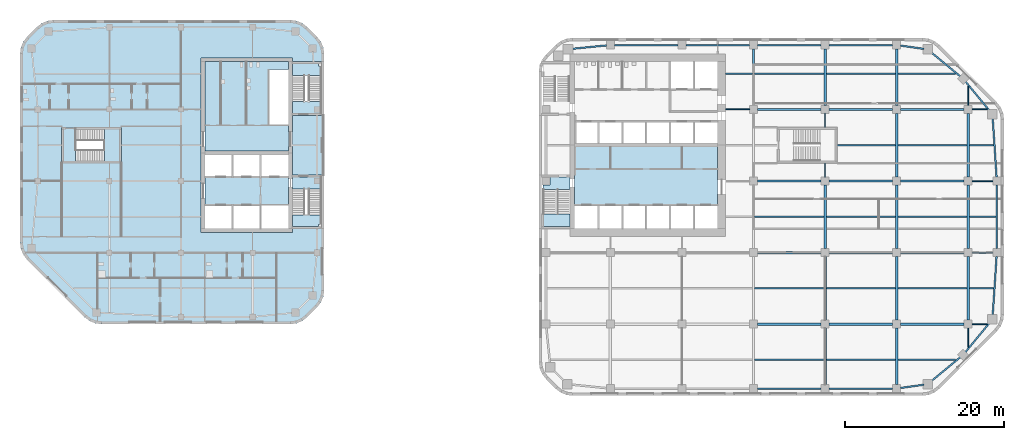
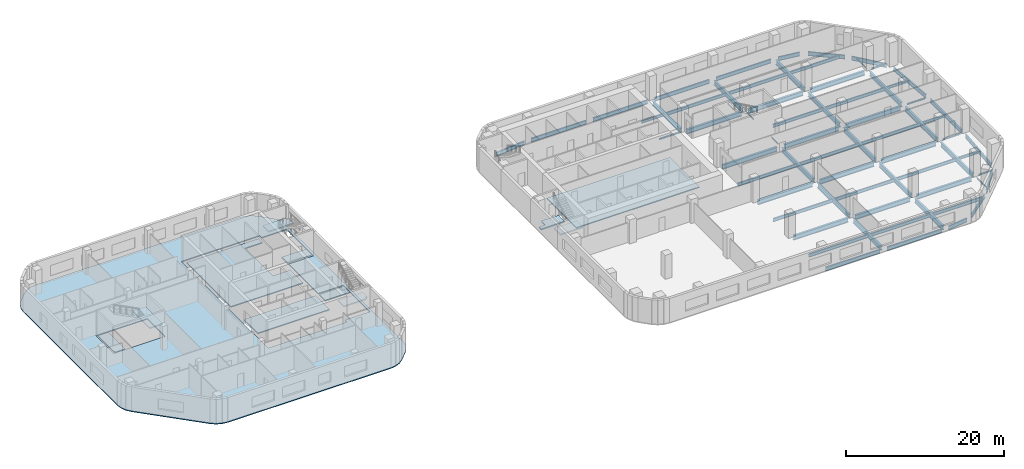
# One storey, part 3 of 15: 68 beams, 12 slabs, 4 elements without a shape of their own.
"""IFC4 building model written with IfcOpenShell, lengths in metres."""

from ifc_helpers import new_model, si_unit, direction, frame, origin, origin_2d, place, context, subcontext, project, spatial, polyline, i_section, outline, extrude, material, layer, layer_set, material_profile, profile_set, type_object, element, aggregate, save


model = new_model("IFC4")

# Units and contexts
model_context = context("Model", 3, precision=1e-05, world=origin(), true_north=direction((0.0, 1.0)))
body_context = subcontext(model_context, "Body", "Model", "MODEL_VIEW")
ifc_project = project(units=[si_unit("LENGTHUNIT", "METRE"), si_unit("AREAUNIT", "SQUARE_METRE"), si_unit("VOLUMEUNIT", "CUBIC_METRE"), si_unit("PLANEANGLEUNIT", "RADIAN"), si_unit("MASSUNIT", "GRAM", prefix="KILO")], contexts=[model_context])

# Site, building, storey
site_placement = place(None, origin())
site = spatial("IfcSite", under=ifc_project, at=site_placement, CompositionType="ELEMENT")
building_placement = place(site_placement, origin())
building = spatial("IfcBuilding", under=site, at=building_placement, Name="Cinnabar Reach Civic Tower", CompositionType="ELEMENT")
storey_placement = place(building_placement, frame((0.0, 0.0, 91.0)))
storey = spatial("IfcBuildingStorey", under=building, at=storey_placement, Name="L21", CompositionType="ELEMENT", Elevation=91.0)

# Beams
ifc_material_1 = material(Name="Steel Q355B", Category="steel")
ifc_material_profile_1 = material_profile(ifc_material_1, i_section(OverallWidth=0.099, OverallDepth=0.198, WebThickness=0.0045, FlangeThickness=0.007, FilletRadius=0.013, at=origin_2d()), Name="HN200x100x5.5x8")
ifc_profile_set_1 = profile_set([ifc_material_profile_1], Name="Steel Q355B")
beam_type_1 = type_object("IfcBeamType", Name="HN200x100x5.5x8 beam R 180", PredefinedType="BEAM", material=ifc_profile_set_1)
for number, where, z_axis, x_axis, name in (
    (1, (36.0, 27.502, -0.249), (0.0, 1.0, 0.0), (-1.0, 0.0, 0.0), "Girder T1 L21 15"),
    (2, (36.0, 33.752, -0.249), (0.0, 1.0, 0.0), (-1.0, 0.0, 0.0), "Girder T1 L21 16"),
):
    element("IfcBeam", number, at=place(storey_placement, frame(where, z_axis=z_axis, x_axis=x_axis)), inside=storey, type_object=beam_type_1, Name=name, PredefinedType="BEAM", context=body_context, shape_type="SweptSolid", body=[
        extrude(i_section(OverallWidth=0.099, OverallDepth=0.198, WebThickness=0.0045, FlangeThickness=0.007, FilletRadius=0.013, at=origin_2d()), origin(), (0.0, 0.0, 1.0), 1.746),
    ])
for number, where, z_axis, x_axis, name in (
    (3, (54.0, 6.0682, -0.249), (0.0, 1.0, 0.0), (-1.0, 0.0, 0.0), "Girder T1 L21 23"),
    (4, (54.0, 36.502, -0.249), (0.0, 1.0, 0.0), (-1.0, 0.0, 0.0), "Girder T1 L21 27"),
):
    element("IfcBeam", number, at=place(storey_placement, frame(where, z_axis=z_axis, x_axis=x_axis)), inside=storey, type_object=beam_type_1, Name=name, PredefinedType="BEAM", context=body_context, shape_type="SweptSolid", body=[
        extrude(i_section(OverallWidth=0.099, OverallDepth=0.198, WebThickness=0.0045, FlangeThickness=0.007, FilletRadius=0.013, at=origin_2d()), origin(), (0.0, 0.0, 1.0), 2.4298),
    ])
ifc_material_profile_2 = material_profile(ifc_material_1, i_section(OverallWidth=0.124, OverallDepth=0.248, WebThickness=0.005, FlangeThickness=0.008, FilletRadius=0.013, at=origin_2d()), Name="HN250x125x6x9")
ifc_profile_set_2 = profile_set([ifc_material_profile_2], Name="Steel Q355B")
beam_type_2 = type_object("IfcBeamType", Name="HN250x125x6x9 beam R 180", PredefinedType="BEAM", material=ifc_profile_set_2)
beam_1_placement = place(storey_placement, frame((54.502, 9.0, -0.274), z_axis=(1.0, 0.0, 0.0), x_axis=(0.0, 1.0, 0.0)))
element("IfcBeam", 5, at=beam_1_placement, inside=storey, type_object=beam_type_2, Name="Girder T1 L21 7", PredefinedType="BEAM", context=body_context, shape_type="SweptSolid", body=[
    extrude(i_section(OverallWidth=0.124, OverallDepth=0.248, WebThickness=0.005, FlangeThickness=0.008, FilletRadius=0.013, at=origin_2d()), origin(), (0.0, 0.0, 1.0), 1.9162),
])
for number, where, z_axis, x_axis, name in (
    (6, (54.502, 18.0, -0.274), (1.0, 0.0, 0.0), (0.0, 1.0, 0.0), "Girder T1 L21 14"),
    (7, (54.502, 27.0, -0.274), (1.0, 0.0, 0.0), (0.0, 1.0, 0.0), "Girder T1 L21 19"),
):
    element("IfcBeam", number, at=place(storey_placement, frame(where, z_axis=z_axis, x_axis=x_axis)), inside=storey, type_object=beam_type_2, Name=name, PredefinedType="BEAM", context=body_context, shape_type="SweptSolid", body=[
        extrude(i_section(OverallWidth=0.124, OverallDepth=0.248, WebThickness=0.005, FlangeThickness=0.008, FilletRadius=0.013, at=origin_2d()), origin(), (0.0, 0.0, 1.0), 2.596),
    ])
beam_2_placement = place(storey_placement, frame((23.502, 36.0, -0.274), z_axis=(1.0, 0.0, 0.0), x_axis=(0.0, 1.0, 0.0)))
element("IfcBeam", 8, at=beam_2_placement, inside=storey, type_object=beam_type_2, Name="Girder T1 L21 20", PredefinedType="BEAM", context=body_context, shape_type="SweptSolid", body=[
    extrude(i_section(OverallWidth=0.124, OverallDepth=0.248, WebThickness=0.005, FlangeThickness=0.008, FilletRadius=0.013, at=origin_2d()), origin(), (0.0, 0.0, 1.0), 2.996),
])
beam_3_placement = place(storey_placement, frame((54.502, 36.0, -0.274), z_axis=(1.0, 0.0, 0.0), x_axis=(0.0, 1.0, 0.0)))
element("IfcBeam", 9, at=beam_3_placement, inside=storey, type_object=beam_type_2, Name="Girder T1 L21 24", PredefinedType="BEAM", context=body_context, shape_type="SweptSolid", body=[
    extrude(i_section(OverallWidth=0.124, OverallDepth=0.248, WebThickness=0.005, FlangeThickness=0.008, FilletRadius=0.013, at=origin_2d()), origin(), (0.0, 0.0, 1.0), 1.9162),
])
ifc_material_profile_3 = material_profile(ifc_material_1, i_section(OverallWidth=0.2, OverallDepth=0.4, WebThickness=0.008, FlangeThickness=0.013, FilletRadius=0.016, at=origin_2d()), Name="HN400x200x8x13")
ifc_profile_set_3 = profile_set([ifc_material_profile_3], Name="Steel Q355B")
beam_type_3 = type_object("IfcBeamType", Name="HN400x200x8x13 beam R 180", PredefinedType="BEAM", material=ifc_profile_set_3)
beam_4_placement = place(storey_placement, frame((54.152, 13.5, -0.35), z_axis=(1.0, 0.0, 0.0), x_axis=(0.0, 1.0, 0.0)))
element("IfcBeam", 10, at=beam_4_placement, inside=storey, type_object=beam_type_3, Name="Secondary beam T1 L21 13", PredefinedType="BEAM", context=body_context, shape_type="SweptSolid", body=[
    extrude(i_section(OverallWidth=0.2, OverallDepth=0.4, WebThickness=0.008, FlangeThickness=0.013, FilletRadius=0.016, at=origin_2d()), origin(), (0.0, 0.0, 1.0), 3.0494),
])
beam_5_placement = place(storey_placement, frame((54.152, 22.5, -0.35), z_axis=(1.0, 0.0, 0.0), x_axis=(0.0, 1.0, 0.0)))
element("IfcBeam", 11, at=beam_5_placement, inside=storey, type_object=beam_type_3, Name="Secondary beam T1 L21 18", PredefinedType="BEAM", context=body_context, shape_type="SweptSolid", body=[
    extrude(i_section(OverallWidth=0.2, OverallDepth=0.4, WebThickness=0.008, FlangeThickness=0.013, FilletRadius=0.016, at=origin_2d()), origin(), (0.0, 0.0, 1.0), 3.346),
])
beam_6_placement = place(storey_placement, frame((54.152, 31.5, -0.35), z_axis=(1.0, 0.0, 0.0), x_axis=(0.0, 1.0, 0.0)))
element("IfcBeam", 12, at=beam_6_placement, inside=storey, type_object=beam_type_3, Name="Secondary beam T1 L21 24", PredefinedType="BEAM", context=body_context, shape_type="SweptSolid", body=[
    extrude(i_section(OverallWidth=0.2, OverallDepth=0.4, WebThickness=0.008, FlangeThickness=0.013, FilletRadius=0.016, at=origin_2d()), origin(), (0.0, 0.0, 1.0), 3.0494),
])
beam_7_placement = place(storey_placement, frame((23.502, 40.5, -0.35), z_axis=(1.0, 0.0, 0.0), x_axis=(0.0, 1.0, 0.0)))
element("IfcBeam", 13, at=beam_7_placement, inside=storey, type_object=beam_type_3, Name="Secondary beam T1 L21 25", PredefinedType="BEAM", context=body_context, shape_type="SweptSolid", body=[
    extrude(i_section(OverallWidth=0.2, OverallDepth=0.4, WebThickness=0.008, FlangeThickness=0.013, FilletRadius=0.016, at=origin_2d()), origin(), (0.0, 0.0, 1.0), 3.346),
])
ifc_material_profile_4 = material_profile(ifc_material_1, i_section(OverallWidth=0.2, OverallDepth=0.5, WebThickness=0.01, FlangeThickness=0.016, FilletRadius=0.016, at=origin_2d()), Name="HN500x200x10x16")
ifc_profile_set_4 = profile_set([ifc_material_profile_4], Name="Steel Q355B")
beam_type_4 = type_object("IfcBeamType", Name="HN500x200x10x16 beam R 180", PredefinedType="BEAM", material=ifc_profile_set_4)
for number, where, z_axis, x_axis, name in (
    (14, (27.152, 4.5, -0.4), (1.0, 0.0, 0.0), (0.0, 1.0, 0.0), "Secondary beam T1 L21 4"),
    (15, (36.152, 4.5, -0.4), (1.0, 0.0, 0.0), (0.0, 1.0, 0.0), "Secondary beam T1 L21 5"),
):
    element("IfcBeam", number, at=place(storey_placement, frame(where, z_axis=z_axis, x_axis=x_axis)), inside=storey, type_object=beam_type_4, Name=name, PredefinedType="BEAM", context=body_context, shape_type="SweptSolid", body=[
        extrude(i_section(OverallWidth=0.2, OverallDepth=0.5, WebThickness=0.01, FlangeThickness=0.016, FilletRadius=0.016, at=origin_2d()), origin(), (0.0, 0.0, 1.0), 8.696),
    ])
beam_8_placement = place(storey_placement, frame((45.152, 4.5, -0.4), z_axis=(1.0, 0.0, 0.0), x_axis=(0.0, 1.0, 0.0)))
element("IfcBeam", 16, at=beam_8_placement, inside=storey, type_object=beam_type_4, Name="Secondary beam T1 L21 6", PredefinedType="BEAM", context=body_context, shape_type="SweptSolid", body=[
    extrude(i_section(OverallWidth=0.2, OverallDepth=0.5, WebThickness=0.01, FlangeThickness=0.016, FilletRadius=0.016, at=origin_2d()), origin(), (0.0, 0.0, 1.0), 7.2798),
])
for number, where, z_axis, x_axis, name in (
    (17, (27.152, 13.5, -0.4), (1.0, 0.0, 0.0), (0.0, 1.0, 0.0), "Secondary beam T1 L21 10"),
    (18, (36.152, 13.5, -0.4), (1.0, 0.0, 0.0), (0.0, 1.0, 0.0), "Secondary beam T1 L21 11"),
    (19, (45.152, 13.5, -0.4), (1.0, 0.0, 0.0), (0.0, 1.0, 0.0), "Secondary beam T1 L21 12"),
    (20, (27.152, 22.5, -0.4), (1.0, 0.0, 0.0), (0.0, 1.0, 0.0), "Secondary beam T1 L21 15"),
    (21, (36.152, 22.5, -0.4), (1.0, 0.0, 0.0), (0.0, 1.0, 0.0), "Secondary beam T1 L21 16"),
    (22, (45.152, 22.5, -0.4), (1.0, 0.0, 0.0), (0.0, 1.0, 0.0), "Secondary beam T1 L21 17"),
):
    element("IfcBeam", number, at=place(storey_placement, frame(where, z_axis=z_axis, x_axis=x_axis)), inside=storey, type_object=beam_type_4, Name=name, PredefinedType="BEAM", context=body_context, shape_type="SweptSolid", body=[
        extrude(i_section(OverallWidth=0.2, OverallDepth=0.5, WebThickness=0.01, FlangeThickness=0.016, FilletRadius=0.016, at=origin_2d()), origin(), (0.0, 0.0, 1.0), 8.696),
    ])
beam_9_placement = place(storey_placement, frame((37.502, 31.5, -0.4), z_axis=(1.0, 0.0, 0.0), x_axis=(0.0, 1.0, 0.0)))
element("IfcBeam", 23, at=beam_9_placement, inside=storey, type_object=beam_type_4, Name="Secondary beam T1 L21 22", PredefinedType="BEAM", context=body_context, shape_type="SweptSolid", body=[
    extrude(i_section(OverallWidth=0.2, OverallDepth=0.5, WebThickness=0.01, FlangeThickness=0.016, FilletRadius=0.016, at=origin_2d()), origin(), (0.0, 0.0, 1.0), 7.346),
])
for number, where, z_axis, x_axis, name in (
    (24, (45.152, 31.5, -0.4), (1.0, 0.0, 0.0), (0.0, 1.0, 0.0), "Secondary beam T1 L21 23"),
    (25, (27.152, 40.5, -0.4), (1.0, 0.0, 0.0), (0.0, 1.0, 0.0), "Secondary beam T1 L21 26"),
    (26, (36.152, 40.5, -0.4), (1.0, 0.0, 0.0), (0.0, 1.0, 0.0), "Secondary beam T1 L21 27"),
):
    element("IfcBeam", number, at=place(storey_placement, frame(where, z_axis=z_axis, x_axis=x_axis)), inside=storey, type_object=beam_type_4, Name=name, PredefinedType="BEAM", context=body_context, shape_type="SweptSolid", body=[
        extrude(i_section(OverallWidth=0.2, OverallDepth=0.5, WebThickness=0.01, FlangeThickness=0.016, FilletRadius=0.016, at=origin_2d()), origin(), (0.0, 0.0, 1.0), 8.696),
    ])
beam_10_placement = place(storey_placement, frame((45.152, 40.5, -0.4), z_axis=(1.0, 0.0, 0.0), x_axis=(0.0, 1.0, 0.0)))
element("IfcBeam", 27, at=beam_10_placement, inside=storey, type_object=beam_type_4, Name="Secondary beam T1 L21 28", PredefinedType="BEAM", context=body_context, shape_type="SweptSolid", body=[
    extrude(i_section(OverallWidth=0.2, OverallDepth=0.5, WebThickness=0.01, FlangeThickness=0.016, FilletRadius=0.016, at=origin_2d()), origin(), (0.0, 0.0, 1.0), 7.2798),
])
ifc_material_profile_5 = material_profile(ifc_material_1, i_section(OverallWidth=0.2, OverallDepth=0.6, WebThickness=0.011, FlangeThickness=0.017, FilletRadius=0.016, at=origin_2d()), Name="HN600x200x11x17")
ifc_profile_set_5 = profile_set([ifc_material_profile_5], Name="Steel Q355B")
beam_type_5 = type_object("IfcBeamType", Name="HN600x200x11x17 beam R 180", PredefinedType="BEAM", material=ifc_profile_set_5)
for number, where, z_axis, x_axis, name in (
    (28, (27.502, 0.9, -0.45), (1.0, 0.0, 0.0), (0.0, 1.0, 0.0), "Edge beam T1 L21 4"),
    (29, (36.502, 0.9, -0.45), (1.0, 0.0, 0.0), (0.0, 1.0, 0.0), "Edge beam T1 L21 5"),
):
    element("IfcBeam", number, at=place(storey_placement, frame(where, z_axis=z_axis, x_axis=x_axis)), inside=storey, type_object=beam_type_5, Name=name, PredefinedType="BEAM", context=body_context, shape_type="SweptSolid", body=[
        extrude(i_section(OverallWidth=0.2, OverallDepth=0.6, WebThickness=0.011, FlangeThickness=0.017, FilletRadius=0.016, at=origin_2d()), origin(), (0.0, 0.0, 1.0), 7.996),
    ])
beam_11_placement = place(storey_placement, frame((45.502, 0.9712, -0.45), z_axis=(0.990082238922, 0.140489003738, 0.0), x_axis=(-0.140489003738, 0.990082238922, 0.0)))
element("IfcBeam", 30, at=beam_11_placement, inside=storey, type_object=beam_type_5, Name="Edge beam T1 L21 6", PredefinedType="BEAM", context=body_context, shape_type="SweptSolid", body=[
    extrude(i_section(OverallWidth=0.2, OverallDepth=0.6, WebThickness=0.011, FlangeThickness=0.017, FilletRadius=0.016, at=origin_2d()), origin(), (0.0, 0.0, 1.0), 2.9433),
])
for number, where, z_axis, x_axis, name in (
    (31, (49.3801, 1.8507, -0.45), (0.77143827905, 0.6363041581, 0.0), (-0.6363041581, 0.77143827905, 0.0), "Edge beam T1 L21 7"),
    (32, (53.6461, 5.4789, -0.45), (0.6363041581, 0.77143827905, 0.0), (-0.77143827905, 0.6363041581, 0.0), "Edge beam T1 L21 8"),
):
    element("IfcBeam", number, at=place(storey_placement, frame(where, z_axis=z_axis, x_axis=x_axis)), inside=storey, type_object=beam_type_5, Name=name, PredefinedType="BEAM", context=body_context, shape_type="SweptSolid", body=[
        extrude(i_section(OverallWidth=0.2, OverallDepth=0.6, WebThickness=0.011, FlangeThickness=0.017, FilletRadius=0.016, at=origin_2d()), origin(), (0.0, 0.0, 1.0), 4.7198),
    ])
beam_12_placement = place(storey_placement, frame((57.0786, 10.0839, -0.45), z_axis=(0.065718615968, 0.997838195057, 0.0), x_axis=(-0.997838195057, 0.065718615968, 0.0)))
element("IfcBeam", 33, at=beam_12_placement, inside=storey, type_object=beam_type_5, Name="Edge beam T1 L21 9", PredefinedType="BEAM", context=body_context, shape_type="SweptSolid", body=[
    extrude(i_section(OverallWidth=0.2, OverallDepth=0.6, WebThickness=0.011, FlangeThickness=0.017, FilletRadius=0.016, at=origin_2d()), origin(), (0.0, 0.0, 1.0), 7.4302),
])
beam_13_placement = place(storey_placement, frame((57.6, 18.502, -0.45), z_axis=(0.0, 1.0, 0.0), x_axis=(-1.0, 0.0, 0.0)))
element("IfcBeam", 34, at=beam_13_placement, inside=storey, type_object=beam_type_5, Name="Edge beam T1 L21 10", PredefinedType="BEAM", context=body_context, shape_type="SweptSolid", body=[
    extrude(i_section(OverallWidth=0.2, OverallDepth=0.6, WebThickness=0.011, FlangeThickness=0.017, FilletRadius=0.016, at=origin_2d()), origin(), (0.0, 0.0, 1.0), 7.996),
])
beam_14_placement = place(storey_placement, frame((57.5669, 27.502, -0.45), z_axis=(-0.065718615968, 0.997838195057, 0.0), x_axis=(-0.997838195057, -0.065718615968, 0.0)))
element("IfcBeam", 35, at=beam_14_placement, inside=storey, type_object=beam_type_5, Name="Edge beam T1 L21 11", PredefinedType="BEAM", context=body_context, shape_type="SweptSolid", body=[
    extrude(i_section(OverallWidth=0.2, OverallDepth=0.6, WebThickness=0.011, FlangeThickness=0.017, FilletRadius=0.016, at=origin_2d()), origin(), (0.0, 0.0, 1.0), 7.4302),
])
for number, where, z_axis, x_axis, name in (
    (36, (56.6493, 35.8801, -0.45), (-0.6363041581, 0.77143827905, 0.0), (-0.77143827905, -0.6363041581, 0.0), "Edge beam T1 L21 12"),
    (37, (53.0211, 40.1461, -0.45), (-0.77143827905, 0.6363041581, 0.0), (-0.6363041581, -0.77143827905, 0.0), "Edge beam T1 L21 13"),
):
    element("IfcBeam", number, at=place(storey_placement, frame(where, z_axis=z_axis, x_axis=x_axis)), inside=storey, type_object=beam_type_5, Name=name, PredefinedType="BEAM", context=body_context, shape_type="SweptSolid", body=[
        extrude(i_section(OverallWidth=0.2, OverallDepth=0.6, WebThickness=0.011, FlangeThickness=0.017, FilletRadius=0.016, at=origin_2d()), origin(), (0.0, 0.0, 1.0), 4.7198),
    ])
beam_15_placement = place(storey_placement, frame((48.4161, 43.6153, -0.45), z_axis=(-0.990082238922, 0.140489003738, 0.0), x_axis=(-0.140489003738, -0.990082238922, 0.0)))
element("IfcBeam", 38, at=beam_15_placement, inside=storey, type_object=beam_type_5, Name="Edge beam T1 L21 14", PredefinedType="BEAM", context=body_context, shape_type="SweptSolid", body=[
    extrude(i_section(OverallWidth=0.2, OverallDepth=0.6, WebThickness=0.011, FlangeThickness=0.017, FilletRadius=0.016, at=origin_2d()), origin(), (0.0, 0.0, 1.0), 2.9433),
])
for number, where, z_axis, x_axis, name in (
    (39, (44.498, 44.1, -0.45), (-1.0, 0.0, 0.0), (0.0, -1.0, 0.0), "Edge beam T1 L21 15"),
    (40, (35.498, 44.1, -0.45), (-1.0, 0.0, 0.0), (0.0, -1.0, 0.0), "Edge beam T1 L21 16"),
    (41, (26.498, 44.1, -0.45), (-1.0, 0.0, 0.0), (0.0, -1.0, 0.0), "Edge beam T1 L21 17"),
    (42, (17.498, 44.1, -0.45), (-1.0, 0.0, 0.0), (0.0, -1.0, 0.0), "Edge beam T1 L21 18"),
):
    element("IfcBeam", number, at=place(storey_placement, frame(where, z_axis=z_axis, x_axis=x_axis)), inside=storey, type_object=beam_type_5, Name=name, PredefinedType="BEAM", context=body_context, shape_type="SweptSolid", body=[
        extrude(i_section(OverallWidth=0.2, OverallDepth=0.6, WebThickness=0.011, FlangeThickness=0.017, FilletRadius=0.016, at=origin_2d()), origin(), (0.0, 0.0, 1.0), 7.996),
    ])
beam_16_placement = place(storey_placement, frame((8.498, 44.0505, -0.45), z_axis=(-0.995166374533, -0.098203294236, 0.0), x_axis=(0.098203294236, -0.995166374533, 0.0)))
element("IfcBeam", 43, at=beam_16_placement, inside=storey, type_object=beam_type_5, Name="Edge beam T1 L21 19", PredefinedType="BEAM", context=body_context, shape_type="SweptSolid", body=[
    extrude(i_section(OverallWidth=0.2, OverallDepth=0.6, WebThickness=0.011, FlangeThickness=0.017, FilletRadius=0.016, at=origin_2d()), origin(), (0.0, 0.0, 1.0), 4.3705),
])
ifc_material_profile_6 = material_profile(ifc_material_1, i_section(OverallWidth=0.3, OverallDepth=0.692, WebThickness=0.013, FlangeThickness=0.02, FilletRadius=0.016, at=origin_2d()), Name="HN692x300x13x20")
ifc_profile_set_6 = profile_set([ifc_material_profile_6], Name="Steel Q355B")
beam_type_6 = type_object("IfcBeamType", Name="HN692x300x13x20 beam R 180", PredefinedType="BEAM", material=ifc_profile_set_6)
for number, where, z_axis, x_axis, name in (
    (44, (27.0, 36.502, -0.496), (0.0, 1.0, 0.0), (-1.0, 0.0, 0.0), "Girder T1 L21 11"),
    (45, (36.0, 1.402, -0.496), (0.0, 1.0, 0.0), (-1.0, 0.0, 0.0), "Girder T1 L21 12"),
):
    element("IfcBeam", number, at=place(storey_placement, frame(where, z_axis=z_axis, x_axis=x_axis)), inside=storey, type_object=beam_type_6, Name=name, PredefinedType="BEAM", context=body_context, shape_type="SweptSolid", body=[
        extrude(i_section(OverallWidth=0.3, OverallDepth=0.692, WebThickness=0.013, FlangeThickness=0.02, FilletRadius=0.016, at=origin_2d()), origin(), (0.0, 0.0, 1.0), 7.096),
    ])
for number, where, z_axis, x_axis, name in (
    (46, (36.0, 9.502, -0.496), (0.0, 1.0, 0.0), (-1.0, 0.0, 0.0), "Girder T1 L21 13"),
    (47, (36.0, 18.502, -0.496), (0.0, 1.0, 0.0), (-1.0, 0.0, 0.0), "Girder T1 L21 14"),
):
    element("IfcBeam", number, at=place(storey_placement, frame(where, z_axis=z_axis, x_axis=x_axis)), inside=storey, type_object=beam_type_6, Name=name, PredefinedType="BEAM", context=body_context, shape_type="SweptSolid", body=[
        extrude(i_section(OverallWidth=0.3, OverallDepth=0.692, WebThickness=0.013, FlangeThickness=0.02, FilletRadius=0.016, at=origin_2d()), origin(), (0.0, 0.0, 1.0), 7.996),
    ])
for number, where, z_axis, x_axis, name in (
    (48, (36.0, 36.502, -0.496), (0.0, 1.0, 0.0), (-1.0, 0.0, 0.0), "Girder T1 L21 17"),
    (49, (45.0, 1.402, -0.496), (0.0, 1.0, 0.0), (-1.0, 0.0, 0.0), "Girder T1 L21 18"),
):
    element("IfcBeam", number, at=place(storey_placement, frame(where, z_axis=z_axis, x_axis=x_axis)), inside=storey, type_object=beam_type_6, Name=name, PredefinedType="BEAM", context=body_context, shape_type="SweptSolid", body=[
        extrude(i_section(OverallWidth=0.3, OverallDepth=0.692, WebThickness=0.013, FlangeThickness=0.02, FilletRadius=0.016, at=origin_2d()), origin(), (0.0, 0.0, 1.0), 7.096),
    ])
for number, where, z_axis, x_axis, name in (
    (50, (45.0, 9.502, -0.496), (0.0, 1.0, 0.0), (-1.0, 0.0, 0.0), "Girder T1 L21 19"),
    (51, (45.0, 18.502, -0.496), (0.0, 1.0, 0.0), (-1.0, 0.0, 0.0), "Girder T1 L21 20"),
    (52, (45.0, 27.502, -0.496), (0.0, 1.0, 0.0), (-1.0, 0.0, 0.0), "Girder T1 L21 21"),
):
    element("IfcBeam", number, at=place(storey_placement, frame(where, z_axis=z_axis, x_axis=x_axis)), inside=storey, type_object=beam_type_6, Name=name, PredefinedType="BEAM", context=body_context, shape_type="SweptSolid", body=[
        extrude(i_section(OverallWidth=0.3, OverallDepth=0.692, WebThickness=0.013, FlangeThickness=0.02, FilletRadius=0.016, at=origin_2d()), origin(), (0.0, 0.0, 1.0), 7.996),
    ])
beam_17_placement = place(storey_placement, frame((45.0, 36.502, -0.496), z_axis=(0.0, 1.0, 0.0), x_axis=(-1.0, 0.0, 0.0)))
element("IfcBeam", 53, at=beam_17_placement, inside=storey, type_object=beam_type_6, Name="Girder T1 L21 22", PredefinedType="BEAM", context=body_context, shape_type="SweptSolid", body=[
    extrude(i_section(OverallWidth=0.3, OverallDepth=0.692, WebThickness=0.013, FlangeThickness=0.02, FilletRadius=0.016, at=origin_2d()), origin(), (0.0, 0.0, 1.0), 7.096),
])
for number, where, z_axis, x_axis, name in (
    (54, (54.0, 9.502, -0.496), (0.0, 1.0, 0.0), (-1.0, 0.0, 0.0), "Girder T1 L21 24"),
    (55, (54.0, 18.502, -0.496), (0.0, 1.0, 0.0), (-1.0, 0.0, 0.0), "Girder T1 L21 25"),
    (56, (54.0, 27.502, -0.496), (0.0, 1.0, 0.0), (-1.0, 0.0, 0.0), "Girder T1 L21 26"),
):
    element("IfcBeam", number, at=place(storey_placement, frame(where, z_axis=z_axis, x_axis=x_axis)), inside=storey, type_object=beam_type_6, Name=name, PredefinedType="BEAM", context=body_context, shape_type="SweptSolid", body=[
        extrude(i_section(OverallWidth=0.3, OverallDepth=0.692, WebThickness=0.013, FlangeThickness=0.02, FilletRadius=0.016, at=origin_2d()), origin(), (0.0, 0.0, 1.0), 7.996),
    ])
ifc_material_profile_7 = material_profile(ifc_material_1, i_section(OverallWidth=0.3, OverallDepth=0.7, WebThickness=0.013, FlangeThickness=0.024, FilletRadius=0.02, at=origin_2d()), Name="HN700x300x13x24")
ifc_profile_set_7 = profile_set([ifc_material_profile_7], Name="Steel Q355B")
beam_type_7 = type_object("IfcBeamType", Name="HN700x300x13x24 beam R 180", PredefinedType="BEAM", material=ifc_profile_set_7)
for number, where, z_axis, x_axis, name in (
    (57, (27.502, 9.0, -0.5), (1.0, 0.0, 0.0), (0.0, 1.0, 0.0), "Girder T1 L21 4"),
    (58, (36.502, 9.0, -0.5), (1.0, 0.0, 0.0), (0.0, 1.0, 0.0), "Girder T1 L21 5"),
    (59, (45.502, 9.0, -0.5), (1.0, 0.0, 0.0), (0.0, 1.0, 0.0), "Girder T1 L21 6"),
    (60, (27.502, 18.0, -0.5), (1.0, 0.0, 0.0), (0.0, 1.0, 0.0), "Girder T1 L21 11"),
    (61, (36.502, 18.0, -0.5), (1.0, 0.0, 0.0), (0.0, 1.0, 0.0), "Girder T1 L21 12"),
    (62, (45.502, 18.0, -0.5), (1.0, 0.0, 0.0), (0.0, 1.0, 0.0), "Girder T1 L21 13"),
    (63, (27.502, 27.0, -0.5), (1.0, 0.0, 0.0), (0.0, 1.0, 0.0), "Girder T1 L21 16"),
    (64, (36.502, 27.0, -0.5), (1.0, 0.0, 0.0), (0.0, 1.0, 0.0), "Girder T1 L21 17"),
    (65, (45.502, 27.0, -0.5), (1.0, 0.0, 0.0), (0.0, 1.0, 0.0), "Girder T1 L21 18"),
    (66, (27.502, 36.0, -0.5), (1.0, 0.0, 0.0), (0.0, 1.0, 0.0), "Girder T1 L21 21"),
    (67, (36.502, 36.0, -0.5), (1.0, 0.0, 0.0), (0.0, 1.0, 0.0), "Girder T1 L21 22"),
    (68, (45.502, 36.0, -0.5), (1.0, 0.0, 0.0), (0.0, 1.0, 0.0), "Girder T1 L21 23"),
):
    element("IfcBeam", number, at=place(storey_placement, frame(where, z_axis=z_axis, x_axis=x_axis)), inside=storey, type_object=beam_type_7, Name=name, PredefinedType="BEAM", context=body_context, shape_type="SweptSolid", body=[
        extrude(i_section(OverallWidth=0.3, OverallDepth=0.7, WebThickness=0.013, FlangeThickness=0.024, FilletRadius=0.02, at=origin_2d()), origin(), (0.0, 0.0, 1.0), 7.996),
    ])

# Slab
ifc_material_2 = material(Name="Concrete C40", Category="concrete")
ifc_layer_1 = layer(ifc_material_2, 0.15)
ifc_layer_set_1 = layer_set([ifc_layer_1], Name="Composite floor slab 150 REI 120")
slab_type_1 = type_object("IfcSlabType", Name="Composite floor slab 150 REI 120", PredefinedType="FLOOR", material=ifc_layer_set_1)
slab_1_placement = place(storey_placement, frame((0.0, 0.0, -0.15)))
element("IfcSlab", 69, at=slab_1_placement, inside=storey, type_object=slab_type_1, Name="Composite floor slab 150 T2 L21", PredefinedType="FLOOR", context=body_context, shape_type="SweptSolid", body=[
    extrude(outline(polyline([(-64.3713, 17.1213), (-64.8481, 17.7426), (-65.1478, 18.4662), (-65.25, 19.2426), (-65.25, 43.0074), (-65.1478, 43.7838), (-64.8481, 44.5074), (-64.3713, 45.1287), (-63.1287, 46.3713), (-62.5074, 46.8481), (-61.7838, 47.1478), (-61.0074, 47.25), (-31.2426, 47.25), (-30.4662, 47.1478), (-29.7426, 46.8481), (-29.1213, 46.3713), (-27.8787, 45.1287), (-27.4019, 44.5074), (-27.1022, 43.7838), (-27.0, 43.0074), (-27.0, 13.2426), (-27.1022, 12.4662), (-27.4019, 11.7426), (-27.8787, 11.1213), (-29.1213, 9.8787), (-29.7426, 9.4019), (-30.4662, 9.1022), (-31.2426, 9.0), (-55.0074, 9.0), (-55.7838, 9.1022), (-56.5074, 9.4019), (-57.1287, 9.8787), (-64.3713, 17.1213)]), holes=[polyline([(-31.0, 27.75), (-31.0, 35.25), (-27.36, 35.25), (-27.36, 42.0), (-31.0, 42.0), (-31.0, 42.5), (-42.5, 42.5), (-42.5, 20.5), (-31.0, 20.5), (-31.0, 21.0), (-27.36, 21.0), (-27.36, 27.75), (-31.0, 27.75)]), polyline([(-60.0, 33.75), (-60.0, 29.25), (-52.5, 29.25), (-52.5, 33.75), (-60.0, 33.75)])]), origin(), (0.0, 0.0, 1.0), 0.15),
])

# Stair, slabs
ifc_material_3 = material(Name="Concrete C40/50", Category="concrete")
stair_type_1 = type_object("IfcStairType", Name="T1 Exit stair, half-turn", PredefinedType="HALF_TURN_STAIR", material=ifc_material_3)
stair_1_placement = place(storey_placement, origin())
stair_1 = element("IfcStair", 70, at=stair_1_placement, inside=storey, type_object=stair_type_1, Name="Stair T1-S1", PredefinedType="HALF_TURN_STAIR")
ifc_layer_2 = layer(ifc_material_3, 0.2)
ifc_layer_set_2 = layer_set([ifc_layer_2], Name="T1 Stair landing 200, Concrete C40/50")
slab_type_2 = type_object("IfcSlabType", Name="T1 Stair landing 200, Concrete C40/50", PredefinedType="LANDING", material=ifc_layer_set_2)
slab_2_placement = place(storey_placement, frame((0.0, 0.0, -0.2)))
slab_2 = element("IfcSlab", 71, at=slab_2_placement, type_object=slab_type_2, Name="T1-S1 landing 1", PredefinedType="LANDING", context=body_context, shape_type="SweptSolid", body=[
    extrude(outline(polyline([(3.9, 27.5), (3.9, 25.95), (0.5, 25.95), (0.5, 26.5), (1.4, 26.5), (1.4, 27.5), (3.9, 27.5)])), origin(), (0.0, 0.0, 1.0), 0.2),
])
slab_3_placement = place(storey_placement, frame((0.0, 0.0, 1.8)))
slab_3 = element("IfcSlab", 72, at=slab_3_placement, type_object=slab_type_2, Name="T1-S1 landing 2", PredefinedType="LANDING", context=body_context, shape_type="SweptSolid", body=[
    extrude(outline(polyline([(0.6, 21.25), (0.6, 22.87), (3.9, 22.87), (3.9, 21.25), (0.6, 21.25)])), origin(), (0.0, 0.0, 1.0), 0.2),
])
aggregate(stair_1, [slab_2, slab_3])

# Slabs
ifc_layer_3 = layer(ifc_material_3, 0.15)
ifc_layer_set_3 = layer_set([ifc_layer_3], Name="T1 core floor slab 150")
slab_type_3 = type_object("IfcSlabType", Name="T1 core floor slab 150", PredefinedType="FLOOR", material=ifc_layer_set_3)
slab_4_placement = place(storey_placement, frame((0.0, 0.0, -0.15)))
element("IfcSlab", 73, at=slab_4_placement, inside=storey, type_object=slab_type_3, Name="Core floor slab L21", PredefinedType="FLOOR", context=body_context, shape_type="SweptSolid", body=[
    extrude(outline(polyline([(22.5, 24.0), (19.5, 24.0), (16.5, 24.0), (13.5, 24.0), (10.5, 24.0), (7.5, 24.0), (4.5, 24.0), (4.5, 31.5), (7.5, 31.5), (10.5, 31.5), (13.5, 31.5), (16.5, 31.5), (19.5, 31.5), (22.5, 31.5), (22.5, 24.0)])), origin(), (0.0, 0.0, 1.0), 0.15),
])
ifc_layer_4 = layer(ifc_material_2, 0.15)
ifc_layer_set_4 = layer_set([ifc_layer_4], Name="T2 Core floor slab 150")
slab_type_4 = type_object("IfcSlabType", Name="T2 Core floor slab 150", PredefinedType="FLOOR", material=ifc_layer_set_4)
slab_5_placement = place(storey_placement, frame((0.0, 0.0, -0.15)))
element("IfcSlab", 74, at=slab_5_placement, inside=storey, type_object=slab_type_4, Name="Core floor slab L21", PredefinedType="FLOOR", context=body_context, shape_type="SweptSolid", body=[
    extrude(outline(polyline([(-42.0, 42.0), (-31.5, 42.0), (-31.5, 41.0), (-34.0, 41.0), (-34.0, 34.0), (-31.5, 34.0), (-31.5, 30.75), (-42.0, 30.75), (-42.0, 42.0)])), origin(), (0.0, 0.0, 1.0), 0.15),
])
slab_6_placement = place(storey_placement, frame((0.0, 0.0, -0.15)))
element("IfcSlab", 75, at=slab_6_placement, inside=storey, type_object=slab_type_4, Name="Core floor slab L21", PredefinedType="FLOOR", context=body_context, shape_type="SweptSolid", body=[
    extrude(outline(polyline([(-35.0, 24.0), (-38.5, 24.0), (-42.0, 24.0), (-42.0, 27.5), (-38.5, 27.5), (-35.0, 27.5), (-31.5, 27.5), (-31.5, 24.0), (-35.0, 24.0)])), origin(), (0.0, 0.0, 1.0), 0.15),
])

# Stair, slabs
stair_type_2 = type_object("IfcStairType", Name="T2 Exit stair 1500", PredefinedType="HALF_TURN_STAIR", material=ifc_material_2)
stair_2_placement = place(storey_placement, origin())
stair_2 = element("IfcStair", 76, at=stair_2_placement, inside=storey, type_object=stair_type_2, Name="Exit stair 1", PredefinedType="HALF_TURN_STAIR")
ifc_layer_5 = layer(ifc_material_2, 0.2)
ifc_layer_set_5 = layer_set([ifc_layer_5], Name="T2 Stair landing 200")
slab_type_5 = type_object("IfcSlabType", Name="T2 Stair landing 200", PredefinedType="LANDING", material=ifc_layer_set_5)
slab_7_placement = place(storey_placement, frame((0.0, 0.0, -0.2)))
slab_7 = element("IfcSlab", 77, at=slab_7_placement, type_object=slab_type_5, Name="ST1 landing 1", PredefinedType="LANDING", context=body_context, shape_type="SweptSolid", body=[
    extrude(outline(polyline([(-31.0, 26.0), (-31.0, 27.5), (-27.4, 27.5), (-27.4, 26.0), (-31.0, 26.0)])), origin(), (0.0, 0.0, 1.0), 0.2),
])
slab_8_placement = place(storey_placement, frame((0.0, 0.0, 1.8)))
slab_8 = element("IfcSlab", 78, at=slab_8_placement, type_object=slab_type_5, Name="ST1 landing 2", PredefinedType="LANDING", context=body_context, shape_type="SweptSolid", body=[
    extrude(outline(polyline([(-31.0, 21.25), (-31.0, 22.75), (-27.4, 22.75), (-27.4, 21.55), (-27.7, 21.55), (-27.7, 21.25), (-31.0, 21.25)])), origin(), (0.0, 0.0, 1.0), 0.2),
])
aggregate(stair_2, [slab_7, slab_8])

stair_3_placement = place(storey_placement, origin())
stair_3 = element("IfcStair", 79, at=stair_3_placement, inside=storey, type_object=stair_type_2, Name="Exit stair 2", PredefinedType="HALF_TURN_STAIR")
slab_9_placement = place(storey_placement, frame((0.0, 0.0, -0.2)))
slab_9 = element("IfcSlab", 80, at=slab_9_placement, type_object=slab_type_5, Name="ST2 landing 1", PredefinedType="LANDING", context=body_context, shape_type="SweptSolid", body=[
    extrude(outline(polyline([(-31.0, 35.5), (-31.0, 37.0), (-27.4, 37.0), (-27.4, 35.5), (-31.0, 35.5)])), origin(), (0.0, 0.0, 1.0), 0.2),
])
slab_10_placement = place(storey_placement, frame((0.0, 0.0, 1.8)))
slab_10 = element("IfcSlab", 81, at=slab_10_placement, type_object=slab_type_5, Name="ST2 landing 2", PredefinedType="LANDING", context=body_context, shape_type="SweptSolid", body=[
    extrude(outline(polyline([(-27.4, 40.25), (-31.0, 40.25), (-31.0, 41.75), (-27.7, 41.75), (-27.7, 41.45), (-27.4, 41.45), (-27.4, 40.25)])), origin(), (0.0, 0.0, 1.0), 0.2),
])
aggregate(stair_3, [slab_9, slab_10])

stair_4_placement = place(storey_placement, origin())
stair_4 = element("IfcStair", 82, at=stair_4_placement, inside=storey, type_object=stair_type_2, Name="Exit stair 3", PredefinedType="HALF_TURN_STAIR")
slab_11_placement = place(storey_placement, frame((0.0, 0.0, -0.2)))
slab_11 = element("IfcSlab", 83, at=slab_11_placement, type_object=slab_type_5, Name="ST3 landing 1", PredefinedType="LANDING", context=body_context, shape_type="SweptSolid", body=[
    extrude(outline(polyline([(-59.75, 29.375), (-59.75, 33.625), (-58.25, 33.625), (-58.25, 29.375), (-59.75, 29.375)])), origin(), (0.0, 0.0, 1.0), 0.2),
])
slab_12_placement = place(storey_placement, frame((0.0, 0.0, 1.8)))
slab_12 = element("IfcSlab", 84, at=slab_12_placement, type_object=slab_type_5, Name="ST3 landing 2", PredefinedType="LANDING", context=body_context, shape_type="SweptSolid", body=[
    extrude(outline(polyline([(-54.65, 29.375), (-54.65, 33.625), (-52.75, 33.625), (-52.75, 29.375), (-54.65, 29.375)])), origin(), (0.0, 0.0, 1.0), 0.2),
])
aggregate(stair_4, [slab_11, slab_12])

save(model, "model.ifc")
